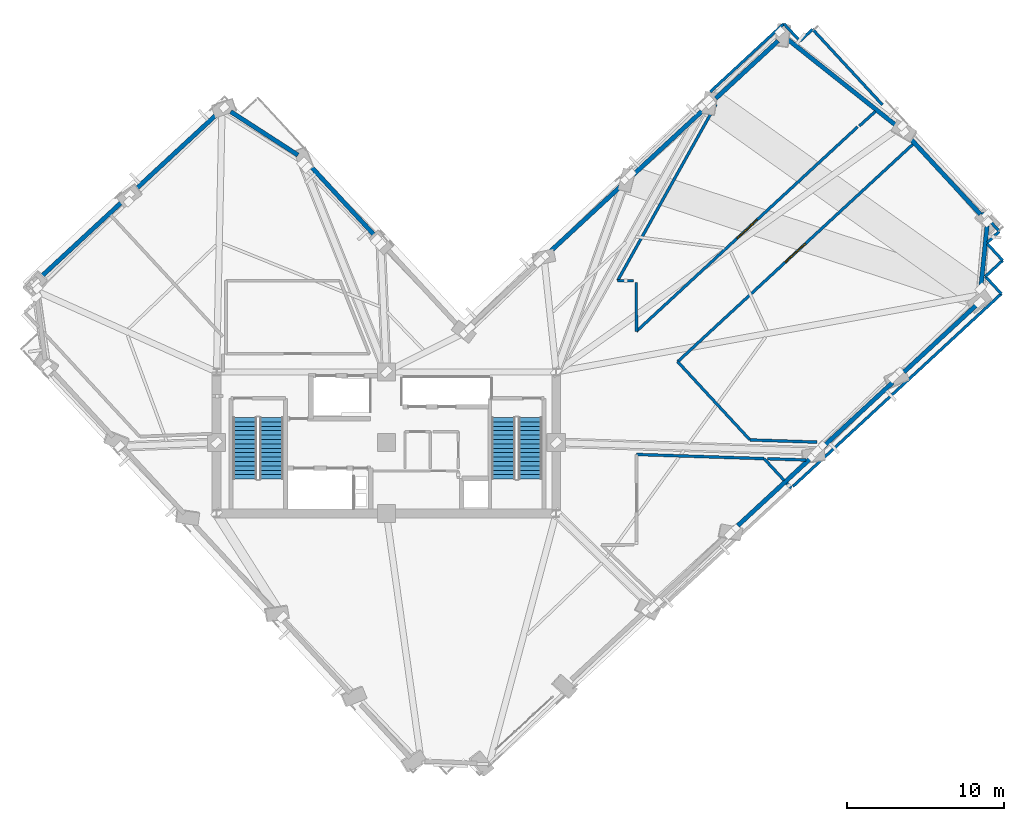
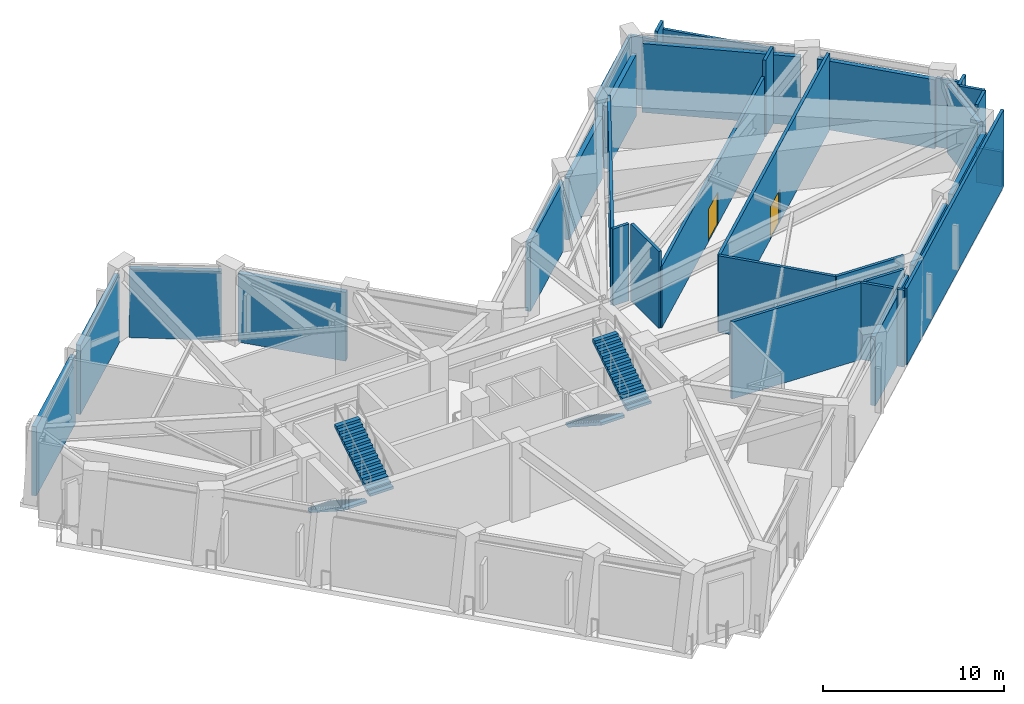
# One storey, part 10 of 15: 35 walls, 4 stair flights, 2 doors, 2 openings, 2 elements without a shape of their own.
"""IFC4 building model written with IfcOpenShell, lengths in metres."""

from ifc_helpers import new_model, si_unit, direction, frame, frame_2d, origin, place, context, subcontext, project, spatial, polyline, rectangle, outline, extrude, material, layer, layer_set, type_object, element, fill, aggregate, save


model = new_model("IFC4")

# Units and contexts
model_context = context("Model", 3, precision=1e-05, world=origin(), true_north=direction((0.0, 1.0)))
body_context = subcontext(model_context, "Body", "Model", "MODEL_VIEW")
ifc_project = project(units=[si_unit("LENGTHUNIT", "METRE"), si_unit("AREAUNIT", "SQUARE_METRE"), si_unit("VOLUMEUNIT", "CUBIC_METRE"), si_unit("PLANEANGLEUNIT", "RADIAN"), si_unit("MASSUNIT", "GRAM", prefix="KILO")], contexts=[model_context])

# Site, building, storey
site_placement = place(None, origin())
site = spatial("IfcSite", under=ifc_project, at=site_placement, CompositionType="ELEMENT")
building_placement = place(site_placement, origin())
building = spatial("IfcBuilding", under=site, at=building_placement, Name="Gaonmaruhae Medical Tower", CompositionType="ELEMENT")
storey_placement = place(building_placement, frame((0.0, 0.0, 205.800048828125)))
storey = spatial("IfcBuildingStorey", under=building, at=storey_placement, Name="L49", CompositionType="ELEMENT", Elevation=205.800048828125)

# Walls
ifc_material_1 = material(Name="Precast concrete C45/55", Category="concrete")
ifc_layer_1 = layer(ifc_material_1, 0.280029296875)
ifc_layer_set_1 = layer_set([ifc_layer_1], Name="Precast concrete C45/55")
wall_type_1 = type_object("IfcWallType", Name="EW-280 Upper Precast Masonry-Frame Facade Wall", PredefinedType="SOLIDWALL", material=ifc_layer_set_1)
wall_1_placement = place(storey_placement, frame((51.706298828125, 11.2373046875, 0.0), z_axis=(0.0, 0.0, 1.0), x_axis=(-0.734320879242, -0.678802509062, 0.0)))
element("IfcWall", 1, at=wall_1_placement, inside=storey, type_object=wall_type_1, Name="L49 Precast Masonry-Frame Wall S04-S05", PredefinedType="SOLIDWALL", context=body_context, shape_type="SweptSolid", body=[
    extrude(rectangle(XDim=6.209228515625, YDim=0.280029296875, at=frame_2d((3.1044921875, 0.0))), origin(), (0.0, 0.0, 1.0), 4.6650390625),
])
wall_2_placement = place(storey_placement, frame((56.9990234375, 16.1298828125, 0.0), z_axis=(0.0, 0.0, 1.0), x_axis=(-0.734320070264, -0.678803384205, 0.0)))
element("IfcWall", 2, at=wall_2_placement, inside=storey, type_object=wall_type_1, Name="L49 Precast Masonry-Frame Wall S05-S06", PredefinedType="SOLIDWALL", context=body_context, shape_type="SweptSolid", body=[
    extrude(rectangle(XDim=6.21826171875, YDim=0.280029296875, at=frame_2d((3.109130859375, 0.0))), origin(), (0.0, 0.0, 1.0), 4.6650390625),
])
wall_3_placement = place(storey_placement, frame((62.297607421875, 21.027587890625, 0.0), z_axis=(0.0, 0.0, 1.0), x_axis=(-0.73432944701, -0.67879324043, 0.0)))
element("IfcWall", 3, at=wall_3_placement, inside=storey, type_object=wall_type_1, Name="L49 Precast Masonry-Frame Wall S06-S07", PredefinedType="SOLIDWALL", context=body_context, shape_type="SweptSolid", body=[
    extrude(rectangle(XDim=6.242431640625, YDim=0.280029296875, at=frame_2d((3.12109375, 0.0))), origin(), (0.0, 0.0, 1.0), 4.64501953125),
])
wall_4_placement = place(storey_placement, frame((63.002197265625, 26.08056640625, 0.0), z_axis=(0.0, 0.0, 1.0), x_axis=(-0.101130614576, -0.994873157139, 0.0)))
element("IfcWall", 4, at=wall_4_placement, inside=storey, type_object=wall_type_1, Name="L49 Precast Masonry-Frame Wall S07-E01", PredefinedType="SOLIDWALL", context=body_context, shape_type="SweptSolid", body=[
    extrude(rectangle(XDim=4.14501953125, YDim=0.280029296875, at=frame_2d((2.072509765625, 0.0))), origin(), (0.0, 0.0, 1.0), 4.64501953125),
])
wall_5_placement = place(storey_placement, frame((57.936279296875, 31.8408203125, 0.0), z_axis=(0.0, 0.0, 1.0), x_axis=(0.678792855006, -0.734329803286, 0.0)))
element("IfcWall", 5, at=wall_5_placement, inside=storey, type_object=wall_type_1, Name="L49 Precast Masonry-Frame Wall E01-E02", PredefinedType="SOLIDWALL", context=body_context, shape_type="SweptSolid", body=[
    extrude(rectangle(XDim=6.840087890625, YDim=0.280029296875, at=frame_2d((3.419921875, 0.0))), origin(), (0.0, 0.0, 1.0), 4.64501953125),
])
wall_6_placement = place(storey_placement, frame((50.30029296875, 37.96435546875, 0.0), z_axis=(0.0, 0.0, 1.0), x_axis=(0.783057822267, -0.62194891027, 0.0)))
element("IfcWall", 6, at=wall_6_placement, inside=storey, type_object=wall_type_1, Name="L49 Precast Masonry-Frame Wall E02-E03", PredefinedType="SOLIDWALL", context=body_context, shape_type="SweptSolid", body=[
    extrude(rectangle(XDim=8.837646484375, YDim=0.280029296875, at=frame_2d((4.4189453125, 0.0))), origin(), (0.0, 0.0, 1.0), 4.64501953125),
])
wall_7_placement = place(storey_placement, frame((45.744873046875, 34.188232421875, 0.0), z_axis=(0.0, 0.0, 1.0), x_axis=(0.734342590673, 0.678779021128, 0.0)))
element("IfcWall", 7, at=wall_7_placement, inside=storey, type_object=wall_type_1, Name="L49 Precast Masonry-Frame Wall E03-EN01", PredefinedType="SOLIDWALL", context=body_context, shape_type="SweptSolid", body=[
    extrude(rectangle(XDim=5.404541015625, YDim=0.280029296875, at=frame_2d((2.7021484375, 0.0))), origin(), (0.0, 0.0, 1.0), 4.1650390625),
])
wall_8_placement = place(storey_placement, frame((40.466552734375, 29.308837890625, 0.0), z_axis=(0.0, 0.0, 1.0), x_axis=(0.734322218766, 0.678801059978, 0.0)))
element("IfcWall", 8, at=wall_8_placement, inside=storey, type_object=wall_type_1, Name="L49 Precast Masonry-Frame Wall EN01-EN02", PredefinedType="SOLIDWALL", context=body_context, shape_type="SweptSolid", body=[
    extrude(rectangle(XDim=6.2265625, YDim=0.280029296875, at=frame_2d((3.11328125, 0.0))), origin(), (0.0, 0.0, 1.0), 4.1650390625),
])
wall_9_placement = place(storey_placement, frame((35.1826171875, 24.424560546875, 0.0), z_axis=(0.0, 0.0, 1.0), x_axis=(0.734331584103, 0.678790928481, 0.0)))
element("IfcWall", 9, at=wall_9_placement, inside=storey, type_object=wall_type_1, Name="L49 Precast Masonry-Frame Wall EN02-EN03", PredefinedType="SOLIDWALL", context=body_context, shape_type="SweptSolid", body=[
    extrude(rectangle(XDim=6.211181640625, YDim=0.280029296875, at=frame_2d((3.10546875, 0.0))), origin(), (0.0, 0.0, 1.0), 4.6650390625),
])
wall_10_placement = place(storey_placement, frame((24.148193359375, 25.375732421875, 0.0), z_axis=(0.0, 0.0, 1.0), x_axis=(-0.678824176747, 0.734300849151, 0.0)))
element("IfcWall", 10, at=wall_10_placement, inside=storey, type_object=wall_type_1, Name="L49 Precast Masonry-Frame Wall NE01-NE02", PredefinedType="SOLIDWALL", context=body_context, shape_type="SweptSolid", body=[
    extrude(rectangle(XDim=6.22265625, YDim=0.280029296875, at=frame_2d((3.111328125, 0.0))), origin(), (0.0, 0.0, 1.0), 4.64501953125),
])
wall_11_placement = place(storey_placement, frame((14.898681640625, 33.3515625, 0.0), z_axis=(0.0, 0.0, 1.0), x_axis=(0.839908263492, -0.542728393322, 0.0)))
element("IfcWall", 11, at=wall_11_placement, inside=storey, type_object=wall_type_1, Name="L49 Precast Masonry-Frame Wall NE02-N01", PredefinedType="SOLIDWALL", context=body_context, shape_type="SweptSolid", body=[
    extrude(rectangle(XDim=5.092529296875, YDim=0.280029296875, at=frame_2d((2.54638671875, 0.0))), origin(), (0.0, 0.0, 1.0), 4.64501953125),
])
wall_12_placement = place(storey_placement, frame((8.697509765625, 28.267333984375, 0.0), z_axis=(0.0, 0.0, 1.0), x_axis=(0.734316524747, 0.678807219676, 0.0)))
element("IfcWall", 12, at=wall_12_placement, inside=storey, type_object=wall_type_1, Name="L49 Precast Masonry-Frame Wall N01-N02", PredefinedType="SOLIDWALL", context=body_context, shape_type="SweptSolid", body=[
    extrude(rectangle(XDim=7.230712890625, YDim=0.280029296875, at=frame_2d((3.615234375, 0.0))), origin(), (0.0, 0.0, 1.0), 4.6650390625),
])
wall_13_placement = place(storey_placement, frame((2.658203125, 22.6845703125, 0.0), z_axis=(0.0, 0.0, 1.0), x_axis=(0.734317864035, 0.678805770865, 0.0)))
element("IfcWall", 13, at=wall_13_placement, inside=storey, type_object=wall_type_1, Name="L49 Precast Masonry-Frame Wall N02-N03", PredefinedType="SOLIDWALL", context=body_context, shape_type="SweptSolid", body=[
    extrude(rectangle(XDim=7.269775390625, YDim=0.280029296875, at=frame_2d((3.634765625, 0.0))), origin(), (0.0, 0.0, 1.0), 4.6650390625),
])
ifc_material_2 = material(Name="Gypsum board partition", Category="gypsum")
ifc_layer_2 = layer(ifc_material_2, 0.179931640625)
ifc_layer_set_2 = layer_set([ifc_layer_2], Name="Gypsum board partition")
wall_type_2 = type_object("IfcWallType", Name="PW-180 Refuge & Plant Acoustic Fire Partition", PredefinedType="PARTITIONING", material=ifc_layer_set_2)
wall_14_placement = place(storey_placement, frame((40.699951171875, 11.551025390625, 0.0), z_axis=(0.0, 0.0, 1.0), x_axis=(0.99945922487, -0.032882485024, 0.0)))
element("IfcWall", 14, at=wall_14_placement, inside=storey, type_object=wall_type_2, Name="L49 Interior Partition L49-CHILB-22", PredefinedType="PARTITIONING", context=body_context, shape_type="SweptSolid", body=[
    extrude(rectangle(XDim=8.12255859375, YDim=0.179931640625, at=frame_2d((4.061279296875, 0.0))), origin(), (0.0, 0.0, 1.0), 5.179931640625),
])
wall_15_placement = place(storey_placement, frame((48.818115234375, 11.283935546875, 0.0), z_axis=(0.0, 0.0, 1.0), x_axis=(0.678635990713, -0.734474772956, 0.0)))
element("IfcWall", 15, at=wall_15_placement, inside=storey, type_object=wall_type_2, Name="L49 Interior Partition L49-CHILB-23", PredefinedType="PARTITIONING", context=body_context, shape_type="SweptSolid", body=[
    extrude(rectangle(XDim=1.880126953125, YDim=0.179931640625, at=frame_2d((0.93994140625, 0.0))), origin(), (0.0, 0.0, 1.0), 5.179931640625),
])
wall_16_placement = place(storey_placement, frame((50.25, 9.73388671875, 0.0), z_axis=(0.0, 0.0, 1.0), x_axis=(0.679026835409, -0.73411344954, 0.0)))
element("IfcWall", 16, at=wall_16_placement, inside=storey, type_object=wall_type_2, Name="L49 Interior Partition L49-CHILB-24", PredefinedType="PARTITIONING", context=body_context, shape_type="SweptSolid", body=[
    extrude(rectangle(XDim=0.434326171875, YDim=0.179931640625, at=frame_2d((0.21728515625, 0.0))), origin(), (0.0, 0.0, 1.0), 5.179931640625),
])
wall_17_placement = place(storey_placement, frame((52.172119140625, 12.333984375, 0.0), z_axis=(0.0, 0.0, 1.0), x_axis=(-0.999456822124, 0.032955435196, 0.0)))
element("IfcWall", 17, at=wall_17_placement, inside=storey, type_object=wall_type_2, Name="L49 Interior Partition L49-AHU-28", PredefinedType="PARTITIONING", context=body_context, shape_type="SweptSolid", body=[
    extrude(rectangle(XDim=4.252197265625, YDim=0.179931640625, at=frame_2d((2.1259765625, 0.0))), origin(), (0.0, 0.0, 1.0), 5.179931640625),
])
wall_18_placement = place(storey_placement, frame((47.922119140625, 12.47412109375, 0.0), z_axis=(0.0, 0.0, 1.0), x_axis=(-0.678827808957, 0.734297491339, 0.0)))
element("IfcWall", 18, at=wall_18_placement, inside=storey, type_object=wall_type_2, Name="L49 Interior Partition L49-AHU-29", PredefinedType="PARTITIONING", context=body_context, shape_type="SweptSolid", body=[
    extrude(rectangle(XDim=6.773681640625, YDim=0.179931640625, at=frame_2d((3.38671875, 0.0))), origin(), (0.0, 0.0, 1.0), 5.179931640625),
])

# Wall, opening, door
wall_19_placement = place(storey_placement, frame((43.323974609375, 17.447998046875, 0.0), z_axis=(0.0, 0.0, 1.0), x_axis=(0.734329399953, 0.678793291337, 0.0)))
wall_19 = element("IfcWall", 19, at=wall_19_placement, inside=storey, type_object=wall_type_2, Name="L49 Interior Partition L49-AHU-30", PredefinedType="PARTITIONING", context=body_context, shape_type="SweptSolid", body=[
    extrude(rectangle(XDim=20.384521484375, YDim=0.179931640625, at=frame_2d((10.1923828125, 0.0))), origin(), (0.0, 0.0, 1.0), 5.179931640625),
])
opening_1_placement = place(wall_19_placement, frame((9.3173828125, 0.0, 0.0)))
opening_1 = element("IfcOpeningElement", 20, at=opening_1_placement, cuts=wall_19, Name="Opening PD-01", PredefinedType="OPENING", context=body_context, shape_type="SweptSolid", body=[
    extrude(rectangle(XDim=1.75, YDim=2.199951171875, at=frame_2d((0.875, 1.10009765625))), frame((0.0, 0.10009765625, 0.0), z_axis=(0.0, -1.0, 0.0), x_axis=(1.0, 0.0, 0.0)), (0.0, 0.0, 1.0), 0.199951171875),
])
ifc_material_3 = material(Name="Acoustic galvanised steel plant door", Category="steel")
door_type = type_object("IfcDoorType", Name="PD-01 Mechanical Plant Double Equipment Door 1750x2200", OperationType="NOTDEFINED", PredefinedType="DOOR", material=ifc_material_3)
door_1_placement = place(opening_1_placement, origin())
door_1 = element("IfcDoor", 21, at=door_1_placement, inside=storey, type_object=door_type, Name="L49 Clinical Air Handling Unit Plant Room Door", OperationType="DOUBLE_DOOR_SINGLE_SWING", OverallHeight=2.199951171875, OverallWidth=1.75, PredefinedType="DOOR", context=body_context, shape_type="SweptSolid", body=[
    extrude(rectangle(XDim=1.75, YDim=2.199951171875, at=frame_2d((0.875, 1.10009765625))), frame((0.0, 0.02490234375, 0.0), z_axis=(0.0, -1.0, 0.0), x_axis=(1.0, 0.0, 0.0)), (0.0, 0.0, 1.0), 0.050048828125),
])
fill(opening_1, door_1)

# Walls
wall_20_placement = place(storey_placement, frame((62.68994140625, 26.919921875, 0.0), z_axis=(0.0, 0.0, 1.0), x_axis=(0.678664067905, -0.73444882935, 0.0)))
element("IfcWall", 22, at=wall_20_placement, inside=storey, type_object=wall_type_2, Name="L49 Interior Partition L49-AHU-31", PredefinedType="PARTITIONING", context=body_context, shape_type="SweptSolid", body=[
    extrude(rectangle(XDim=1.610595703125, YDim=0.179931640625, at=frame_2d((0.80517578125, 0.0))), origin(), (0.0, 0.0, 1.0), 4.64501953125),
])
wall_21_placement = place(storey_placement, frame((63.782958984375, 25.737060546875, 0.0), z_axis=(0.0, 0.0, 1.0), x_axis=(-0.734509855916, -0.678598019126, 0.0)))
element("IfcWall", 23, at=wall_21_placement, inside=storey, type_object=wall_type_2, Name="L49 Interior Partition L49-AHU-32", PredefinedType="PARTITIONING", context=body_context, shape_type="SweptSolid", body=[
    extrude(rectangle(XDim=1.05224609375, YDim=0.179931640625, at=frame_2d((0.526123046875, 0.0))), origin(), (0.0, 0.0, 1.0), 5.179931640625),
])
wall_22_placement = place(storey_placement, frame((63.00390625, 24.958984375, 0.0), z_axis=(0.0, 0.0, 1.0), x_axis=(0.678746216351, -0.734372911939, 0.0)))
element("IfcWall", 24, at=wall_22_placement, inside=storey, type_object=wall_type_2, Name="L49 Interior Partition L49-AHU-33", PredefinedType="PARTITIONING", context=body_context, shape_type="SweptSolid", body=[
    extrude(rectangle(XDim=1.45703125, YDim=0.179931640625, at=frame_2d((0.728515625, 0.0))), origin(), (0.0, 0.0, 1.0), 5.179931640625),
])
wall_23_placement = place(storey_placement, frame((63.992919921875, 23.888916015625, 0.0), z_axis=(0.0, 0.0, 1.0), x_axis=(-0.734247563592, -0.678881812512, 0.0)))
element("IfcWall", 25, at=wall_23_placement, inside=storey, type_object=wall_type_2, Name="L49 Interior Partition L49-AHU-34", PredefinedType="PARTITIONING", context=body_context, shape_type="SweptSolid", body=[
    extrude(rectangle(XDim=1.499267578125, YDim=0.179931640625, at=frame_2d((0.74951171875, 0.0))), origin(), (0.0, 0.0, 1.0), 5.179931640625),
])
wall_24_placement = place(storey_placement, frame((62.89208984375, 22.87109375, 0.0), z_axis=(0.0, 0.0, 1.0), x_axis=(0.678476098276, -0.734622477241, 0.0)))
element("IfcWall", 26, at=wall_24_placement, inside=storey, type_object=wall_type_2, Name="L49 Interior Partition L49-AHU-35", PredefinedType="PARTITIONING", context=body_context, shape_type="SweptSolid", body=[
    extrude(rectangle(XDim=1.500244140625, YDim=0.179931640625, at=frame_2d((0.75, 0.0))), origin(), (0.0, 0.0, 1.0), 2.344970703125),
])
wall_25_placement = place(storey_placement, frame((63.909912109375, 21.76904296875, 0.0), z_axis=(0.0, 0.0, 1.0), x_axis=(-0.734342793067, -0.678778802167, 0.0)))
element("IfcWall", 27, at=wall_25_placement, inside=storey, type_object=wall_type_2, Name="L49 Interior Partition L49-AHU-36", PredefinedType="PARTITIONING", context=body_context, shape_type="SweptSolid", body=[
    extrude(rectangle(XDim=18.050048828125, YDim=0.179931640625, at=frame_2d((9.02490234375, 0.0))), origin(), (0.0, 0.0, 1.0), 5.179931640625),
])
wall_26_placement = place(storey_placement, frame((49.029052734375, 11.277099609375, 0.0), z_axis=(0.0, 0.0, 1.0), x_axis=(0.999472678616, -0.032470982427, 0.0)))
element("IfcWall", 28, at=wall_26_placement, inside=storey, type_object=wall_type_2, Name="L49 Interior Partition L49-AHU-37", PredefinedType="PARTITIONING", context=body_context, shape_type="SweptSolid", body=[
    extrude(rectangle(XDim=2.466064453125, YDim=0.179931640625, at=frame_2d((1.23291015625, 0.0))), origin(), (0.0, 0.0, 1.0), 5.179931640625),
])

# Wall, opening, door
wall_27_placement = place(storey_placement, frame((54.77392578125, 32.388916015625, 0.0), z_axis=(0.0, 0.0, 1.0), x_axis=(-0.73431831035, -0.67880528805, 0.0)))
wall_27 = element("IfcWall", 29, at=wall_27_placement, inside=storey, type_object=wall_type_2, Name="L49 Interior Partition L49-PUMP-38", PredefinedType="PARTITIONING", context=body_context, shape_type="SweptSolid", body=[
    extrude(rectangle(XDim=19.166015625, YDim=0.179931640625, at=frame_2d((9.5830078125, 0.0))), origin(), (0.0, 0.0, 1.0), 4.14501953125),
])
opening_2_placement = place(wall_27_placement, frame((8.7080078125, 0.0, 0.0)))
opening_2 = element("IfcOpeningElement", 30, at=opening_2_placement, cuts=wall_27, Name="Opening PD-01", PredefinedType="OPENING", context=body_context, shape_type="SweptSolid", body=[
    extrude(rectangle(XDim=1.75, YDim=2.199951171875, at=frame_2d((0.875, 1.10009765625))), frame((0.0, 0.10009765625, 0.0), z_axis=(0.0, -1.0, 0.0), x_axis=(1.0, 0.0, 0.0)), (0.0, 0.0, 1.0), 0.199951171875),
])
door_2_placement = place(opening_2_placement, origin())
door_2 = element("IfcDoor", 31, at=door_2_placement, inside=storey, type_object=door_type, Name="L49 Domestic Booster and Fire Pump Tank Room Door", OperationType="DOUBLE_DOOR_SINGLE_SWING", OverallHeight=2.199951171875, OverallWidth=1.75, PredefinedType="DOOR", context=body_context, shape_type="SweptSolid", body=[
    extrude(rectangle(XDim=1.75, YDim=2.199951171875, at=frame_2d((0.875, 1.10009765625))), frame((0.0, 0.02490234375, 0.0), z_axis=(0.0, -1.0, 0.0), x_axis=(1.0, 0.0, 0.0)), (0.0, 0.0, 1.0), 0.050048828125),
])
fill(opening_2, door_2)

# Walls
wall_28_placement = place(storey_placement, frame((40.699951171875, 19.37890625, 0.0), z_axis=(0.0, 0.0, 1.0), x_axis=(-0.004806879059, 0.99998844689, 0.0)))
element("IfcWall", 32, at=wall_28_placement, inside=storey, type_object=wall_type_2, Name="L49 Interior Partition L49-PUMP-39", PredefinedType="PARTITIONING", context=body_context, shape_type="SweptSolid", body=[
    extrude(rectangle(XDim=3.09814453125, YDim=0.179931640625, at=frame_2d((1.549072265625, 0.0))), origin(), (0.0, 0.0, 1.0), 5.179931640625),
])
wall_29_placement = place(storey_placement, frame((40.52001953125, 22.59912109375, 0.0), z_axis=(0.0, 0.0, 1.0), x_axis=(-0.999999539053, 0.000960153182, 0.0)))
element("IfcWall", 33, at=wall_29_placement, inside=storey, type_object=wall_type_2, Name="L49 Interior Partition L49-PUMP-40", PredefinedType="PARTITIONING", context=body_context, shape_type="SweptSolid", body=[
    extrude(rectangle(XDim=1.01708984375, YDim=0.179931640625, at=frame_2d((0.508544921875, 0.0))), origin(), (0.0, 0.0, 1.0), 5.179931640625),
])
wall_30_placement = place(storey_placement, frame((39.5029296875, 22.60009765625, 0.0), z_axis=(0.0, 0.0, 1.0), x_axis=(0.487392782234, 0.873182842151, 0.0)))
element("IfcWall", 34, at=wall_30_placement, inside=storey, type_object=wall_type_2, Name="L49 Interior Partition L49-PUMP-41", PredefinedType="PARTITIONING", context=body_context, shape_type="SweptSolid", body=[
    extrude(rectangle(XDim=12.845947265625, YDim=0.179931640625, at=frame_2d((6.4228515625, 0.0))), origin(), (0.0, 0.0, 1.0), 5.179931640625),
])
wall_31_placement = place(storey_placement, frame((45.387939453125, 34.60693359375, 0.0), z_axis=(0.0, 0.0, 1.0), x_axis=(0.734256610298, 0.678872027877, 0.0)))
element("IfcWall", 35, at=wall_31_placement, inside=storey, type_object=wall_type_2, Name="L49 Interior Partition L49-PUMP-42", PredefinedType="PARTITIONING", context=body_context, shape_type="SweptSolid", body=[
    extrude(rectangle(XDim=6.387451171875, YDim=0.179931640625, at=frame_2d((3.19384765625, 0.0))), origin(), (0.0, 0.0, 1.0), 4.64501953125),
])
wall_32_placement = place(storey_placement, frame((50.077880859375, 38.943115234375, 0.0), z_axis=(0.0, 0.0, 1.0), x_axis=(0.678563911345, -0.734541365902, 0.0)))
element("IfcWall", 36, at=wall_32_placement, inside=storey, type_object=wall_type_2, Name="L49 Interior Partition L49-PUMP-43", PredefinedType="PARTITIONING", context=body_context, shape_type="SweptSolid", body=[
    extrude(rectangle(XDim=1.500244140625, YDim=0.179931640625, at=frame_2d((0.75, 0.0))), origin(), (0.0, 0.0, 1.0), 4.64501953125),
])
wall_33_placement = place(storey_placement, frame((51.095947265625, 37.841064453125, 0.0), z_axis=(0.0, 0.0, 1.0), x_axis=(0.73440351815, 0.678713100308, 0.0)))
element("IfcWall", 37, at=wall_33_placement, inside=storey, type_object=wall_type_2, Name="L49 Interior Partition L49-PUMP-44", PredefinedType="PARTITIONING", context=body_context, shape_type="SweptSolid", body=[
    extrude(rectangle(XDim=1.100341796875, YDim=0.179931640625, at=frame_2d((0.55029296875, 0.0))), origin(), (0.0, 0.0, 1.0), 5.179931640625),
])
wall_34_placement = place(storey_placement, frame((51.904052734375, 38.587890625, 0.0), z_axis=(0.0, 0.0, 1.0), x_axis=(0.678792362629, -0.734330258424, 0.0)))
element("IfcWall", 38, at=wall_34_placement, inside=storey, type_object=wall_type_2, Name="L49 Interior Partition L49-PUMP-45", PredefinedType="PARTITIONING", context=body_context, shape_type="SweptSolid", body=[
    extrude(rectangle(XDim=6.550048828125, YDim=0.179931640625, at=frame_2d((3.27490234375, 0.0))), origin(), (0.0, 0.0, 1.0), 4.64501953125),
])
wall_35_placement = place(storey_placement, frame((55.89990234375, 33.368896484375, 0.0), z_axis=(0.0, 0.0, 1.0), x_axis=(-0.739980066427, -0.672628799034, 0.0)))
element("IfcWall", 39, at=wall_35_placement, inside=storey, type_object=wall_type_2, Name="L49 Interior Partition L49-PUMP-46", PredefinedType="PARTITIONING", context=body_context, shape_type="SweptSolid", body=[
    extrude(rectangle(XDim=1.381103515625, YDim=0.179931640625, at=frame_2d((0.6904296875, 0.0))), origin(), (0.0, 0.0, 1.0), 5.179931640625),
])

# Stair, stair flights
ifc_material_4 = material(Name="Concrete C40/50", Category="concrete")
stair_type = type_object("IfcStairType", Name="ST-T1 Primary Core Escape Dogleg Stair", PredefinedType="TWO_QUARTER_TURN_STAIR", material=ifc_material_4)
stair_1_placement = place(storey_placement, origin())
stair_1 = element("IfcStair", 40, at=stair_1_placement, inside=storey, type_object=stair_type, Name="L49 Protected Escape Stair ST-01", PredefinedType="TWO_QUARTER_TURN_STAIR")
stair_flight_type = type_object("IfcStairFlightType", Name="SF-T1 Primary Core Precast Stair Flight", PredefinedType="STRAIGHT", material=ifc_material_4)
stair_flight_1_placement = place(storey_placement, frame((15.800048828125, 13.89990234375, 0.0), z_axis=(0.0, 0.0, 1.0), x_axis=(0.0, -1.0, 0.0)))
stair_flight_1 = element("IfcStairFlight", 41, at=stair_flight_1_placement, type_object=stair_flight_type, Name="ST-01 flight 1", NumberOfRisers=15, NumberOfTreads=14, PredefinedType="STRAIGHT", RiserHeight=0.18, TreadLength=0.28, context=body_context, shape_type="SweptSolid", body=[
    extrude(outline(polyline([(0.0, 0.0), (0.0, 0.179931640625), (0.280029296875, 0.179931640625), (0.280029296875, 0.360107421875), (0.56005859375, 0.360107421875), (0.56005859375, 0.5400390625), (0.840087890625, 0.5400390625), (0.840087890625, 0.719970703125), (1.1201171875, 0.719970703125), (1.1201171875, 0.89990234375), (1.39990234375, 0.89990234375), (1.39990234375, 1.080078125), (1.679931640625, 1.080078125), (1.679931640625, 1.260009765625), (1.9599609375, 1.260009765625), (1.9599609375, 1.43994140625), (2.239990234375, 1.43994140625), (2.239990234375, 1.6201171875), (2.52001953125, 1.6201171875), (2.52001953125, 1.800048828125), (2.800048828125, 1.800048828125), (2.800048828125, 1.97998046875), (3.080078125, 1.97998046875), (3.080078125, 2.159912109375), (3.360107421875, 2.159912109375), (3.360107421875, 2.340087890625), (3.639892578125, 2.340087890625), (3.639892578125, 2.52001953125), (3.919921875, 2.52001953125), (3.919921875, 2.699951171875), (3.919921875, 2.341796875), (0.277099609375, 0.0), (0.0, 0.0)])), frame((0.0, 0.75, 0.0), z_axis=(0.0, -1.0, 0.0), x_axis=(1.0, 0.0, 0.0)), (0.0, 0.0, 1.0), 1.5),
])
stair_flight_2_placement = place(storey_placement, frame((17.5, 9.97998046875, 2.699951171875), z_axis=(0.0, 0.0, 1.0), x_axis=(0.0, 1.0, 0.0)))
stair_flight_2 = element("IfcStairFlight", 42, at=stair_flight_2_placement, type_object=stair_flight_type, Name="ST-01 flight 2", NumberOfRisers=15, NumberOfTreads=14, PredefinedType="STRAIGHT", RiserHeight=0.18, TreadLength=0.28, context=body_context, shape_type="SweptSolid", body=[
    extrude(outline(polyline([(0.0, 0.0), (0.0, 0.179931640625), (0.280029296875, 0.179931640625), (0.280029296875, 0.360107421875), (0.56005859375, 0.360107421875), (0.56005859375, 0.5400390625), (0.840087890625, 0.5400390625), (0.840087890625, 0.719970703125), (1.1201171875, 0.719970703125), (1.1201171875, 0.89990234375), (1.39990234375, 0.89990234375), (1.39990234375, 1.080078125), (1.679931640625, 1.080078125), (1.679931640625, 1.260009765625), (1.9599609375, 1.260009765625), (1.9599609375, 1.43994140625), (2.239990234375, 1.43994140625), (2.239990234375, 1.6201171875), (2.52001953125, 1.6201171875), (2.52001953125, 1.800048828125), (2.800048828125, 1.800048828125), (2.800048828125, 1.97998046875), (3.080078125, 1.97998046875), (3.080078125, 2.159912109375), (3.360107421875, 2.159912109375), (3.360107421875, 2.340087890625), (3.639892578125, 2.340087890625), (3.639892578125, 2.52001953125), (3.919921875, 2.52001953125), (3.919921875, 2.699951171875), (3.919921875, 2.341796875), (0.277099609375, 0.0), (0.0, 0.0)])), frame((0.0, 0.75, 0.0), z_axis=(0.0, -1.0, 0.0), x_axis=(1.0, 0.0, 0.0)), (0.0, 0.0, 1.0), 1.5),
])
aggregate(stair_1, [stair_flight_1, stair_flight_2])

stair_2_placement = place(storey_placement, origin())
stair_2 = element("IfcStair", 43, at=stair_2_placement, inside=storey, type_object=stair_type, Name="L49 Protected Escape Stair ST-02", PredefinedType="TWO_QUARTER_TURN_STAIR")
stair_flight_3_placement = place(storey_placement, frame((32.25, 13.89990234375, 0.0), z_axis=(0.0, 0.0, 1.0), x_axis=(0.0, -1.0, 0.0)))
stair_flight_3 = element("IfcStairFlight", 44, at=stair_flight_3_placement, type_object=stair_flight_type, Name="ST-02 flight 1", NumberOfRisers=15, NumberOfTreads=14, PredefinedType="STRAIGHT", RiserHeight=0.18, TreadLength=0.28, context=body_context, shape_type="SweptSolid", body=[
    extrude(outline(polyline([(0.0, 0.0), (0.0, 0.179931640625), (0.280029296875, 0.179931640625), (0.280029296875, 0.360107421875), (0.56005859375, 0.360107421875), (0.56005859375, 0.5400390625), (0.840087890625, 0.5400390625), (0.840087890625, 0.719970703125), (1.1201171875, 0.719970703125), (1.1201171875, 0.89990234375), (1.39990234375, 0.89990234375), (1.39990234375, 1.080078125), (1.679931640625, 1.080078125), (1.679931640625, 1.260009765625), (1.9599609375, 1.260009765625), (1.9599609375, 1.43994140625), (2.239990234375, 1.43994140625), (2.239990234375, 1.6201171875), (2.52001953125, 1.6201171875), (2.52001953125, 1.800048828125), (2.800048828125, 1.800048828125), (2.800048828125, 1.97998046875), (3.080078125, 1.97998046875), (3.080078125, 2.159912109375), (3.360107421875, 2.159912109375), (3.360107421875, 2.340087890625), (3.639892578125, 2.340087890625), (3.639892578125, 2.52001953125), (3.919921875, 2.52001953125), (3.919921875, 2.699951171875), (3.919921875, 2.341796875), (0.277099609375, 0.0), (0.0, 0.0)])), frame((0.0, 0.75, 0.0), z_axis=(0.0, -1.0, 0.0), x_axis=(1.0, 0.0, 0.0)), (0.0, 0.0, 1.0), 1.5),
])
stair_flight_4_placement = place(storey_placement, frame((33.949951171875, 9.97998046875, 2.699951171875), z_axis=(0.0, 0.0, 1.0), x_axis=(0.0, 1.0, 0.0)))
stair_flight_4 = element("IfcStairFlight", 45, at=stair_flight_4_placement, type_object=stair_flight_type, Name="ST-02 flight 2", NumberOfRisers=15, NumberOfTreads=14, PredefinedType="STRAIGHT", RiserHeight=0.18, TreadLength=0.28, context=body_context, shape_type="SweptSolid", body=[
    extrude(outline(polyline([(0.0, 0.0), (0.0, 0.179931640625), (0.280029296875, 0.179931640625), (0.280029296875, 0.360107421875), (0.56005859375, 0.360107421875), (0.56005859375, 0.5400390625), (0.840087890625, 0.5400390625), (0.840087890625, 0.719970703125), (1.1201171875, 0.719970703125), (1.1201171875, 0.89990234375), (1.39990234375, 0.89990234375), (1.39990234375, 1.080078125), (1.679931640625, 1.080078125), (1.679931640625, 1.260009765625), (1.9599609375, 1.260009765625), (1.9599609375, 1.43994140625), (2.239990234375, 1.43994140625), (2.239990234375, 1.6201171875), (2.52001953125, 1.6201171875), (2.52001953125, 1.800048828125), (2.800048828125, 1.800048828125), (2.800048828125, 1.97998046875), (3.080078125, 1.97998046875), (3.080078125, 2.159912109375), (3.360107421875, 2.159912109375), (3.360107421875, 2.340087890625), (3.639892578125, 2.340087890625), (3.639892578125, 2.52001953125), (3.919921875, 2.52001953125), (3.919921875, 2.699951171875), (3.919921875, 2.341796875), (0.277099609375, 0.0), (0.0, 0.0)])), frame((0.0, 0.75, 0.0), z_axis=(0.0, -1.0, 0.0), x_axis=(1.0, 0.0, 0.0)), (0.0, 0.0, 1.0), 1.5),
])
aggregate(stair_2, [stair_flight_3, stair_flight_4])

save(model, "model.ifc")
